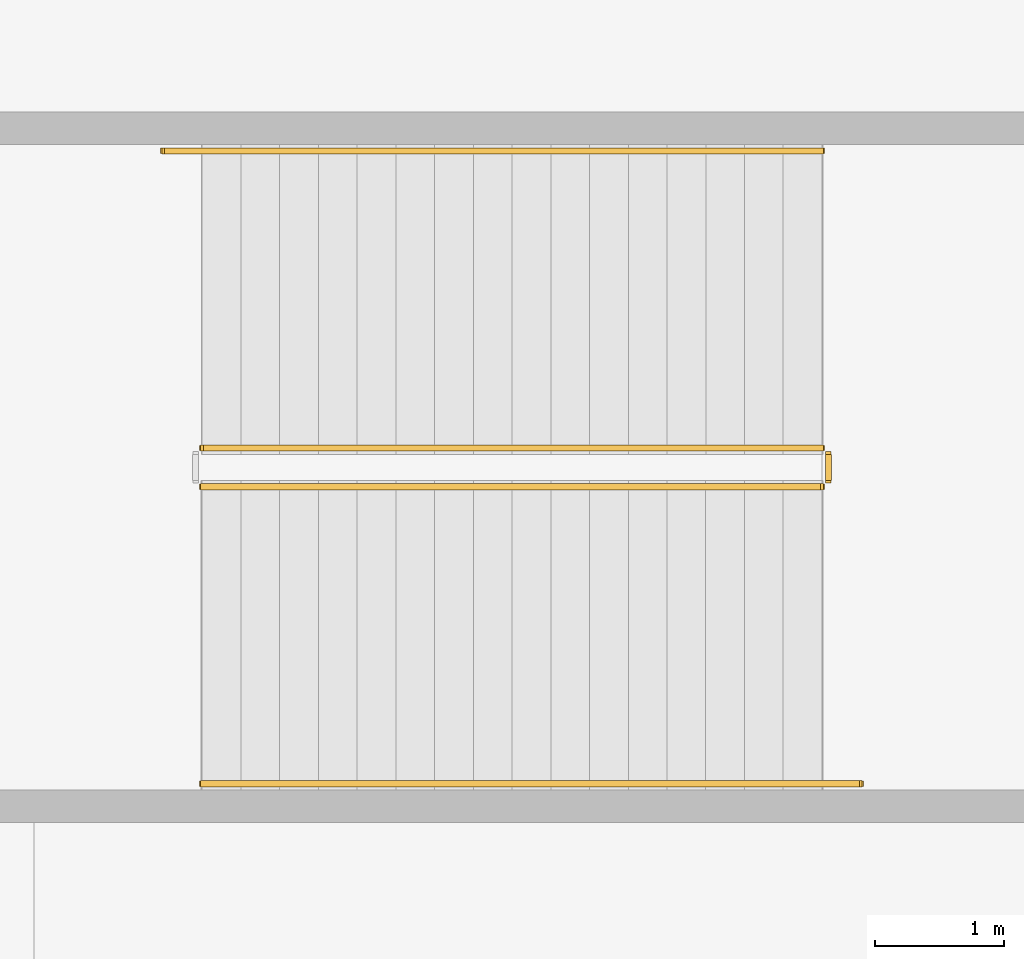
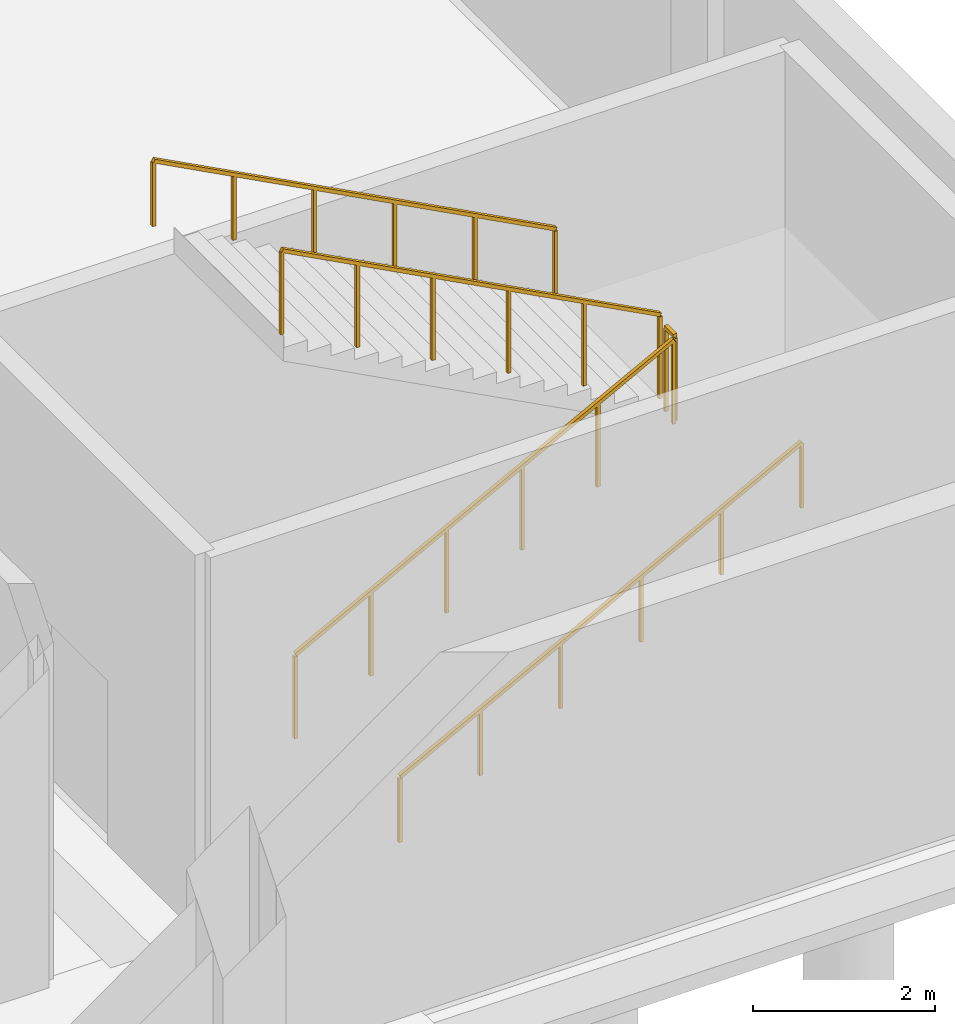
# One storey, part 64 of 74: 5 railings.
"""IFC4 building model written with IfcOpenShell, lengths in metres."""

from ifc_helpers import new_model, si_unit, direction, frame, origin, origin_2d, place, context, subcontext, project, spatial, rectangle, extrude, material, type_object, element, save


model = new_model("IFC4")

# Units and contexts
model_context = context("Model", 3, precision=1e-05, world=origin(), true_north=direction((0.0, 1.0)))
body_context = subcontext(model_context, "Body", "Model", "MODEL_VIEW")
ifc_project = project(units=[si_unit("LENGTHUNIT", "METRE"), si_unit("AREAUNIT", "SQUARE_METRE"), si_unit("VOLUMEUNIT", "CUBIC_METRE"), si_unit("PLANEANGLEUNIT", "RADIAN"), si_unit("MASSUNIT", "GRAM", prefix="KILO")], contexts=[model_context])

# Site, building, storey
site_placement = place(None, origin())
site = spatial("IfcSite", under=ifc_project, at=site_placement, CompositionType="ELEMENT")
building_placement = place(site_placement, origin())
building = spatial("IfcBuilding", under=site, at=building_placement, Name="Zlatoyarsky Gate Stadium", CompositionType="ELEMENT")
storey_placement = place(building_placement, frame((0.0, 0.0, -5.39990234375)))
storey = spatial("IfcBuildingStorey", under=building, at=storey_placement, Name="B1", CompositionType="ELEMENT", Elevation=-5.39990234375)

# Railings
ifc_material_1 = material(Name="Powder-coated steel stair guardrail", Category="steel")
railing_type_1 = type_object("IfcRailingType", Name="PAINTED STEEL STAIR WELL GUARDRAIL 1150", PredefinedType="GUARDRAIL", material=ifc_material_1)
railing_1_placement = place(storey_placement, frame((188.550048828125, 15.85009765625, 0.15869140625)))
element("IfcRailing", 1, at=railing_1_placement, inside=storey, type_object=railing_type_1, Name="ST-24 B1 stair guard 1", PredefinedType="GUARDRAIL", context=body_context, shape_type="SweptSolid", body=[
    extrude(rectangle(XDim=0.048095703125, YDim=0.048095703125, at=origin_2d()), frame((0.0, 0.0, 1.1259765625), z_axis=(0.883783542688, 0.0, 0.467895981682), x_axis=(0.0, 1.0, 0.0)), (0.0, 0.0, 1.0), 5.43115234375),
    extrude(rectangle(XDim=0.0419921875, YDim=0.0419921875, at=origin_2d()), origin(), (0.0, 0.0, 1.0), 1.101806640625),
    extrude(rectangle(XDim=0.0419921875, YDim=0.0419921875, at=origin_2d()), frame((0.9599609375, 0.0, 0.50830078125)), (0.0, 0.0, 1.0), 1.101806640625),
    extrude(rectangle(XDim=0.0419921875, YDim=0.0419921875, at=origin_2d()), frame((1.919921875, 0.0, 1.0166015625)), (0.0, 0.0, 1.0), 1.101806640625),
    extrude(rectangle(XDim=0.0419921875, YDim=0.0419921875, at=origin_2d()), frame((2.880126953125, 0.0, 1.524658203125)), (0.0, 0.0, 1.0), 1.101806640625),
    extrude(rectangle(XDim=0.0419921875, YDim=0.0419921875, at=origin_2d()), frame((3.840087890625, 0.0, 2.032958984375)), (0.0, 0.0, 1.0), 1.101806640625),
    extrude(rectangle(XDim=0.0419921875, YDim=0.0419921875, at=origin_2d()), frame((4.800048828125, 0.0, 2.541259765625)), (0.0, 0.0, 1.0), 1.101806640625),
])
railing_2_placement = place(storey_placement, frame((193.39990234375, 15.89990234375, 2.699951171875)))
element("IfcRailing", 2, at=railing_2_placement, inside=storey, type_object=railing_type_1, Name="ST-24 B1 stair guard 2", PredefinedType="GUARDRAIL", context=body_context, shape_type="SweptSolid", body=[
    extrude(rectangle(XDim=0.048095703125, YDim=0.048095703125, at=origin_2d()), frame((0.0, 0.0, 1.1259765625), z_axis=(0.0, 1.0, 0.0), x_axis=(-1.0, 0.0, 0.0)), (0.0, 0.0, 1.0), 0.2001953125),
    extrude(rectangle(XDim=0.0419921875, YDim=0.0419921875, at=origin_2d()), origin(), (0.0, 0.0, 1.0), 1.101806640625),
    extrude(rectangle(XDim=0.0419921875, YDim=0.0419921875, at=origin_2d()), frame((0.0, 0.2001953125, 0.0)), (0.0, 0.0, 1.0), 1.101806640625),
])
railing_3_placement = place(storey_placement, frame((193.35009765625, 16.14990234375, 2.858642578125)))
element("IfcRailing", 3, at=railing_3_placement, inside=storey, type_object=railing_type_1, Name="ST-24 B1 stair guard 3", PredefinedType="GUARDRAIL", context=body_context, shape_type="SweptSolid", body=[
    extrude(rectangle(XDim=0.048095703125, YDim=0.048095703125, at=origin_2d()), frame((0.0, 0.0, 1.1259765625), z_axis=(-0.883783542688, 0.0, 0.467895981682), x_axis=(0.0, -1.0, 0.0)), (0.0, 0.0, 1.0), 5.43115234375),
    extrude(rectangle(XDim=0.0419921875, YDim=0.0419921875, at=origin_2d()), origin(), (0.0, 0.0, 1.0), 1.101806640625),
    extrude(rectangle(XDim=0.0419921875, YDim=0.0419921875, at=origin_2d()), frame((-0.9599609375, 0.0, 0.50830078125)), (0.0, 0.0, 1.0), 1.101806640625),
    extrude(rectangle(XDim=0.0419921875, YDim=0.0419921875, at=origin_2d()), frame((-1.919921875, 0.0, 1.0166015625)), (0.0, 0.0, 1.0), 1.101806640625),
    extrude(rectangle(XDim=0.0419921875, YDim=0.0419921875, at=origin_2d()), frame((-2.880126953125, 0.0, 1.524658203125)), (0.0, 0.0, 1.0), 1.101806640625),
    extrude(rectangle(XDim=0.0419921875, YDim=0.0419921875, at=origin_2d()), frame((-3.840087890625, 0.0, 2.032958984375)), (0.0, 0.0, 1.0), 1.101806640625),
    extrude(rectangle(XDim=0.0419921875, YDim=0.0419921875, at=origin_2d()), frame((-4.800048828125, 0.0, 2.541259765625)), (0.0, 0.0, 1.0), 1.101806640625),
])
ifc_material_2 = material(Name="Brushed stainless steel 316 handrail", Category="steel")
railing_type_2 = type_object("IfcRailingType", Name="STAINLESS STEEL TUBULAR HANDRAIL 900", PredefinedType="HANDRAIL", material=ifc_material_2)
railing_4_placement = place(storey_placement, frame((188.550048828125, 13.550048828125, 0.162841796875)))
element("IfcRailing", 4, at=railing_4_placement, inside=storey, type_object=railing_type_2, Name="ST-24 B1 stair handrail 1", PredefinedType="HANDRAIL", context=body_context, shape_type="SweptSolid", body=[
    extrude(rectangle(XDim=0.048095703125, YDim=0.048095703125, at=origin_2d()), frame((0.0, 0.0, 0.8759765625), z_axis=(0.883785858079, 0.0, 0.467891608238), x_axis=(0.0, 1.0, 0.0)), (0.0, 0.0, 1.0), 5.7705078125),
    extrude(rectangle(XDim=0.0419921875, YDim=0.0419921875, at=origin_2d()), origin(), (0.0, 0.0, 1.0), 0.851806640625),
    extrude(rectangle(XDim=0.0419921875, YDim=0.0419921875, at=origin_2d()), frame((1.02001953125, 0.0, 0.5400390625)), (0.0, 0.0, 1.0), 0.851806640625),
    extrude(rectangle(XDim=0.0419921875, YDim=0.0419921875, at=origin_2d()), frame((2.0400390625, 0.0, 1.080078125)), (0.0, 0.0, 1.0), 0.851806640625),
    extrude(rectangle(XDim=0.0419921875, YDim=0.0419921875, at=origin_2d()), frame((3.059814453125, 0.0, 1.619873046875)), (0.0, 0.0, 1.0), 0.851806640625),
    extrude(rectangle(XDim=0.0419921875, YDim=0.0419921875, at=origin_2d()), frame((4.079833984375, 0.0, 2.159912109375)), (0.0, 0.0, 1.0), 0.851806640625),
    extrude(rectangle(XDim=0.0419921875, YDim=0.0419921875, at=origin_2d()), frame((5.099853515625, 0.0, 2.699951171875)), (0.0, 0.0, 1.0), 0.851806640625),
])
railing_5_placement = place(storey_placement, frame((193.35009765625, 18.449951171875, 2.86279296875)))
element("IfcRailing", 5, at=railing_5_placement, inside=storey, type_object=railing_type_2, Name="ST-24 B1 stair handrail 2", PredefinedType="HANDRAIL", context=body_context, shape_type="SweptSolid", body=[
    extrude(rectangle(XDim=0.048095703125, YDim=0.048095703125, at=origin_2d()), frame((0.0, 0.0, 0.8759765625), z_axis=(-0.883795119882, 0.0, 0.467874113489), x_axis=(0.0, -1.0, 0.0)), (0.0, 0.0, 1.0), 5.770751953125),
    extrude(rectangle(XDim=0.0419921875, YDim=0.0419921875, at=origin_2d()), origin(), (0.0, 0.0, 1.0), 0.851806640625),
    extrude(rectangle(XDim=0.0419921875, YDim=0.0419921875, at=origin_2d()), frame((-1.02001953125, 0.0, 0.5400390625)), (0.0, 0.0, 1.0), 0.851806640625),
    extrude(rectangle(XDim=0.0419921875, YDim=0.0419921875, at=origin_2d()), frame((-2.0400390625, 0.0, 1.080078125)), (0.0, 0.0, 1.0), 0.851806640625),
    extrude(rectangle(XDim=0.0419921875, YDim=0.0419921875, at=origin_2d()), frame((-3.06005859375, 0.0, 1.619873046875)), (0.0, 0.0, 1.0), 0.851806640625),
    extrude(rectangle(XDim=0.0419921875, YDim=0.0419921875, at=origin_2d()), frame((-4.080078125, 0.0, 2.159912109375)), (0.0, 0.0, 1.0), 0.851806640625),
    extrude(rectangle(XDim=0.0419921875, YDim=0.0419921875, at=origin_2d()), frame((-5.10009765625, 0.0, 2.699951171875)), (0.0, 0.0, 1.0), 0.851806640625),
])

save(model, "model.ifc")
